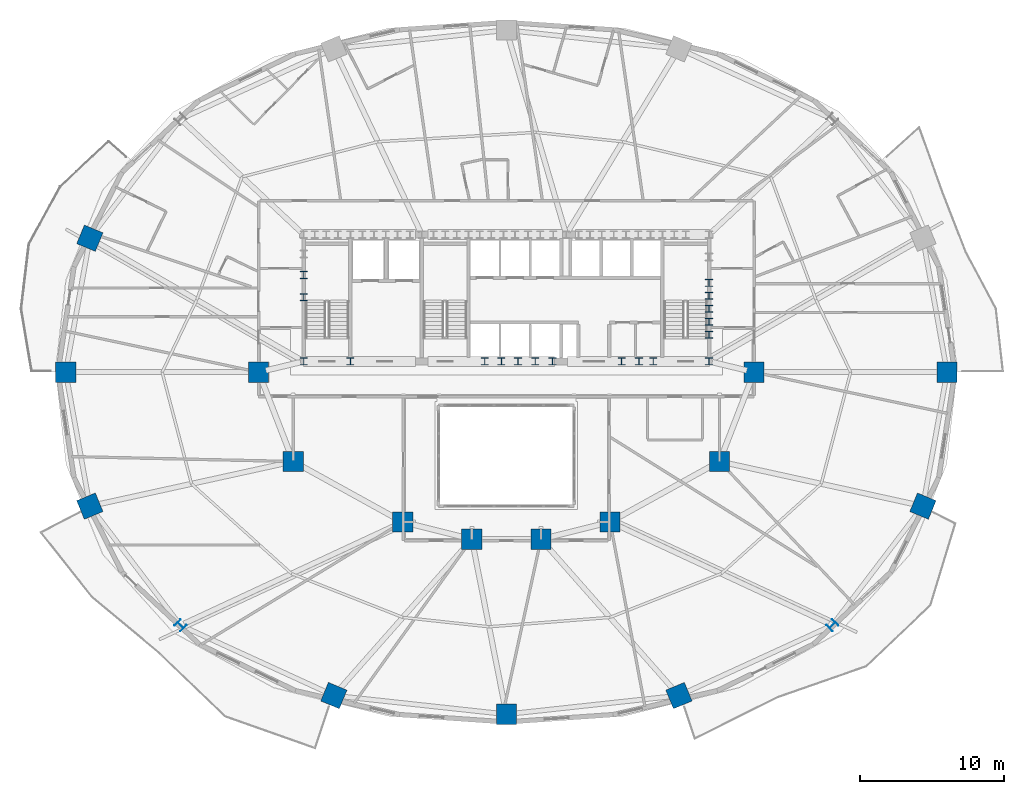
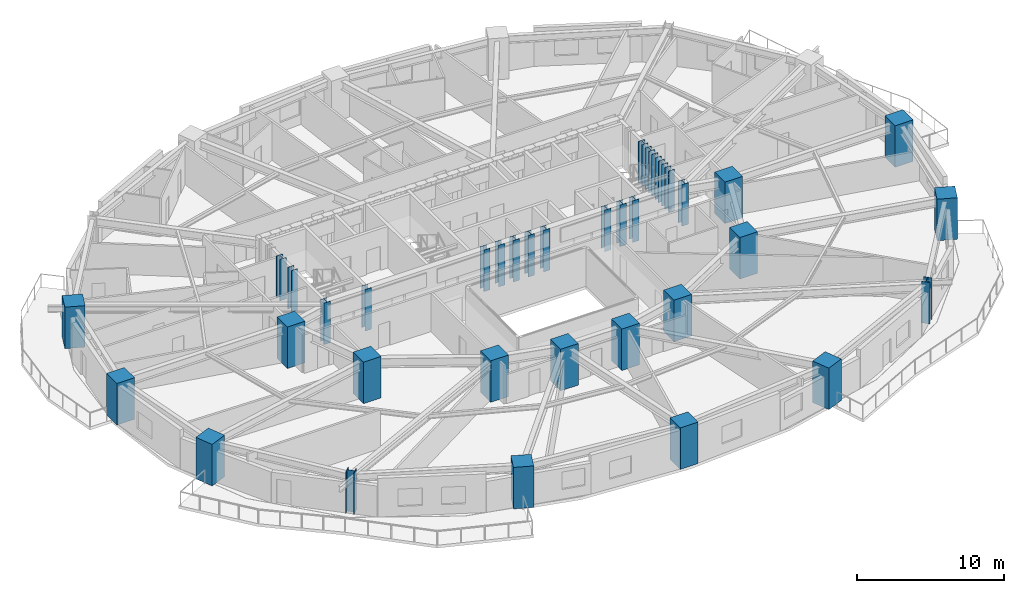
# One storey, part 1 of 17: 36 columns.
"""IFC4 building model written with IfcOpenShell, lengths in metres."""

from ifc_helpers import new_model, si_unit, direction, frame, origin, origin_2d, place, context, subcontext, project, spatial, rectangle, i_section, extrude, material, material_profile, profile_set, type_object, element, save


model = new_model("IFC4")

# Units and contexts
model_context = context("Model", 3, precision=1e-05, world=origin(), true_north=direction((0.0, 1.0)))
body_context = subcontext(model_context, "Body", "Model", "MODEL_VIEW")
ifc_project = project(units=[si_unit("LENGTHUNIT", "METRE"), si_unit("AREAUNIT", "SQUARE_METRE"), si_unit("VOLUMEUNIT", "CUBIC_METRE"), si_unit("PLANEANGLEUNIT", "RADIAN"), si_unit("MASSUNIT", "GRAM", prefix="KILO")], contexts=[model_context])

# Site, building, storey
site_placement = place(None, origin())
site = spatial("IfcSite", under=ifc_project, at=site_placement, CompositionType="ELEMENT")
building_placement = place(site_placement, origin())
building = spatial("IfcBuilding", under=site, at=building_placement, Name="Haldorwick Loom Tower", CompositionType="ELEMENT")
storey_placement = place(building_placement, frame((0.0, 0.0, 27.449951171875)))
storey = spatial("IfcBuildingStorey", under=building, at=storey_placement, Name="L06", CompositionType="ELEMENT", Elevation=27.449951171875)

# Columns
ifc_material_1 = material(Name="Concrete C60 (60 MPa)", Category="concrete")
ifc_material_profile_1 = material_profile(ifc_material_1, rectangle(XDim=1.39990234375, YDim=1.39990234375, at=origin_2d()), Name="RC1400X1400", Category="concrete")
ifc_profile_set_1 = profile_set([ifc_material_profile_1], Name="Concrete C60 (60 MPa)")
column_type_1 = type_object("IfcColumnType", Name="STR-COL-MEGA1400", PredefinedType="COLUMN", material=ifc_profile_set_1)
for number, where, z_axis, x_axis, name in (
    (1, (53.199951171875, 26.0, 0.0), (0.0, 0.0, 1.0), (1.0, 0.0, 0.0), "L06 Inner Column IC-01"),
    (2, (50.800048828125, 19.800048828125, 0.0), (0.0, 0.0, 1.0), (1.0, 0.0, 0.0), "L06 Inner Column IC-02"),
    (3, (43.199951171875, 15.60009765625, 0.0), (0.0, 0.0, 1.0), (1.0, 0.0, 0.0), "L06 Inner Column IC-03"),
    (4, (38.39990234375, 14.39990234375, 0.0), (0.0, 0.0, 1.0), (1.0, 0.0, 0.0), "L06 Inner Column IC-04"),
    (5, (33.60009765625, 14.39990234375, 0.0), (0.0, 0.0, 1.0), (1.0, 0.0, 0.0), "L06 Inner Column IC-05"),
    (6, (28.800048828125, 15.60009765625, 0.0), (0.0, 0.0, 1.0), (1.0, 0.0, 0.0), "L06 Inner Column IC-06"),
    (7, (21.199951171875, 19.800048828125, 0.0), (0.0, 0.0, 1.0), (1.0, 0.0, 0.0), "L06 Inner Column IC-07"),
    (8, (18.800048828125, 26.0, 0.0), (0.0, 0.0, 1.0), (1.0, 0.0, 0.0), "L06 Inner Column IC-08"),
):
    element("IfcColumn", number, at=place(storey_placement, frame(where, z_axis=z_axis, x_axis=x_axis)), inside=storey, type_object=column_type_1, Name=name, PredefinedType="COLUMN", context=body_context, shape_type="SweptSolid", body=[
        extrude(rectangle(XDim=1.39990234375, YDim=1.39990234375, at=origin_2d()), origin(), (0.0, 0.0, 1.0), 3.449951171875),
    ])
ifc_material_profile_2 = material_profile(ifc_material_1, rectangle(XDim=1.39990234375, YDim=1.39990234375, at=origin_2d()), Name="RC1400X1400", Category="concrete")
ifc_profile_set_2 = profile_set([ifc_material_profile_2], Name="Concrete C60 (60 MPa)")
column_type_2 = type_object("IfcColumnType", Name="STR-COL-RC1400", PredefinedType="PILASTER", material=ifc_profile_set_2)
for number, where, z_axis, x_axis, name in (
    (9, (66.595947265625, 26.0, 0.0), (0.0, 0.0, 1.0), (1.0, 0.0, 0.0), "L06 Perimeter Pier Column P01"),
    (10, (7.08251953125, 35.29931640625, 0.0), (0.0, 0.0, 1.0), (-0.923879532511, 0.382683432365, 0.0), "L06 Perimeter Pier Column P08"),
    (11, (5.404052734375, 26.0, 0.0), (0.0, 0.0, 1.0), (-1.0, 0.0, 0.0), "L06 Perimeter Pier Column P09"),
    (12, (7.08251953125, 16.70068359375, 0.0), (0.0, 0.0, 1.0), (-0.923879532511, -0.382683432365, 0.0), "L06 Perimeter Pier Column P10"),
    (13, (24.02197265625, 3.5498046875, 0.0), (0.0, 0.0, 1.0), (-0.382683432365, -0.923879532511, 0.0), "L06 Perimeter Pier Column P12"),
    (14, (36.0, 2.25, 0.0), (0.0, 0.0, 1.0), (0.0, -1.0, 0.0), "L06 Perimeter Pier Column P13"),
    (15, (47.97802734375, 3.5498046875, 0.0), (0.0, 0.0, 1.0), (0.382683432365, -0.923879532511, 0.0), "L06 Perimeter Pier Column P14"),
    (16, (64.91748046875, 16.70068359375, 0.0), (0.0, 0.0, 1.0), (0.923879532511, -0.382683432365, 0.0), "L06 Perimeter Pier Column P16"),
):
    element("IfcColumn", number, at=place(storey_placement, frame(where, z_axis=z_axis, x_axis=x_axis)), inside=storey, type_object=column_type_2, Name=name, PredefinedType="PILASTER", context=body_context, shape_type="SweptSolid", body=[
        extrude(rectangle(XDim=1.39990234375, YDim=1.39990234375, at=origin_2d()), origin(), (0.0, 0.0, 1.0), 3.449951171875),
    ])
ifc_material_2 = material(Name="Steel CSA G40.21 350WT", Category="steel")
ifc_material_profile_3 = material_profile(ifc_material_2, i_section(OverallWidth=0.5, OverallDepth=0.5, WebThickness=0.02197265625, FlangeThickness=0.031982421875, at=origin_2d()), Name="WWF500X500", Category="steel")
ifc_profile_set_3 = profile_set([ifc_material_profile_3], Name="Steel CSA G40.21 350WT")
column_type_3 = type_object("IfcColumnType", Name="STR-COL-WWF500", PredefinedType="COLUMN", material=ifc_profile_set_3)
for number, where, z_axis, x_axis, name in (
    (17, (21.929931640625, 26.75, 0.0), (0.0, 0.0, 1.0), (1.0, 0.0, 0.0), "L06 Core Pilaster CB-19"),
    (18, (25.169921875, 26.75, 0.0), (0.0, 0.0, 1.0), (1.0, 0.0, 0.0), "L06 Core Pilaster CB-20"),
    (19, (34.5, 26.75, 0.0), (0.0, 0.0, 1.0), (1.0, 0.0, 0.0), "L06 Core Pilaster CB-21"),
    (20, (36.800048828125, 26.75, 0.0), (0.0, 0.0, 1.0), (1.0, 0.0, 0.0), "L06 Core Pilaster CB-22"),
    (21, (39.199951171875, 26.75, 0.0), (0.0, 0.0, 1.0), (1.0, 0.0, 0.0), "L06 Core Pilaster CB-23"),
    (22, (45.199951171875, 26.75, 0.0), (0.0, 0.0, 1.0), (1.0, 0.0, 0.0), "L06 Core Pilaster CB-24"),
    (23, (50.070068359375, 26.75, 0.0), (0.0, 0.0, 1.0), (1.0, 0.0, 0.0), "L06 Core Pilaster CB-25"),
    (24, (21.929931640625, 31.199951171875, 0.0), (0.0, 0.0, 1.0), (1.0, 0.0, 0.0), "L06 Core Pilaster CB-26"),
    (25, (21.929931640625, 32.75, 0.0), (0.0, 0.0, 1.0), (1.0, 0.0, 0.0), "L06 Core Pilaster CB-27"),
    (26, (50.070068359375, 28.60009765625, 0.0), (0.0, 0.0, 1.0), (1.0, 0.0, 0.0), "L06 Core Pilaster CB-29"),
    (27, (50.070068359375, 30.39990234375, 0.0), (0.0, 0.0, 1.0), (1.0, 0.0, 0.0), "L06 Core Pilaster CB-30"),
    (28, (50.070068359375, 32.199951171875, 0.0), (0.0, 0.0, 1.0), (1.0, 0.0, 0.0), "L06 Core Pilaster CB-31"),
    (29, (50.070068359375, 29.5, 0.0), (0.0, 0.0, 1.0), (1.0, 0.0, 0.0), "L06 Core Pilaster CB-49"),
    (30, (50.070068359375, 31.300048828125, 0.0), (0.0, 0.0, 1.0), (1.0, 0.0, 0.0), "L06 Core Pilaster CB-50"),
    (31, (35.64990234375, 26.75, 0.0), (0.0, 0.0, 1.0), (1.0, 0.0, 0.0), "L06 Core Pilaster CB-51"),
    (32, (38.0, 26.75, 0.0), (0.0, 0.0, 1.0), (1.0, 0.0, 0.0), "L06 Core Pilaster CB-52"),
    (33, (44.0, 26.75, 0.0), (0.0, 0.0, 1.0), (1.0, 0.0, 0.0), "L06 Core Pilaster CB-53"),
    (34, (46.199951171875, 26.75, 0.0), (0.0, 0.0, 1.0), (1.0, 0.0, 0.0), "L06 Core Pilaster CB-54"),
):
    element("IfcColumn", number, at=place(storey_placement, frame(where, z_axis=z_axis, x_axis=x_axis)), inside=storey, type_object=column_type_3, Name=name, PredefinedType="COLUMN", context=body_context, shape_type="SweptSolid", body=[
        extrude(i_section(OverallWidth=0.5, OverallDepth=0.5, WebThickness=0.02197265625, FlangeThickness=0.031982421875, at=origin_2d()), origin(), (0.0, 0.0, 1.0), 3.449951171875),
    ])
ifc_material_profile_4 = material_profile(ifc_material_2, i_section(OverallWidth=0.60009765625, OverallDepth=0.60009765625, WebThickness=0.02490234375, FlangeThickness=0.035888671875, at=origin_2d()), Name="WWF600X600", Category="steel")
ifc_profile_set_4 = profile_set([ifc_material_profile_4], Name="Steel CSA G40.21 350WT")
column_type_4 = type_object("IfcColumnType", Name="STR-COL-WWF600", PredefinedType="COLUMN", material=ifc_profile_set_4)
for number, where, z_axis, x_axis, name in (
    (35, (13.369873046875, 8.428466796875, 0.0), (0.0, 0.0, 1.0), (-0.707106781187, -0.707106781187, 0.0), "L06 Perimeter Pier Column P11"),
    (36, (58.630126953125, 8.428466796875, 0.0), (0.0, 0.0, 1.0), (0.707106781187, -0.707106781187, 0.0), "L06 Perimeter Pier Column P15"),
):
    element("IfcColumn", number, at=place(storey_placement, frame(where, z_axis=z_axis, x_axis=x_axis)), inside=storey, type_object=column_type_4, Name=name, PredefinedType="COLUMN", context=body_context, shape_type="SweptSolid", body=[
        extrude(i_section(OverallWidth=0.60009765625, OverallDepth=0.60009765625, WebThickness=0.02490234375, FlangeThickness=0.035888671875, at=origin_2d()), origin(), (0.0, 0.0, 1.0), 3.449951171875),
    ])

save(model, "model.ifc")
